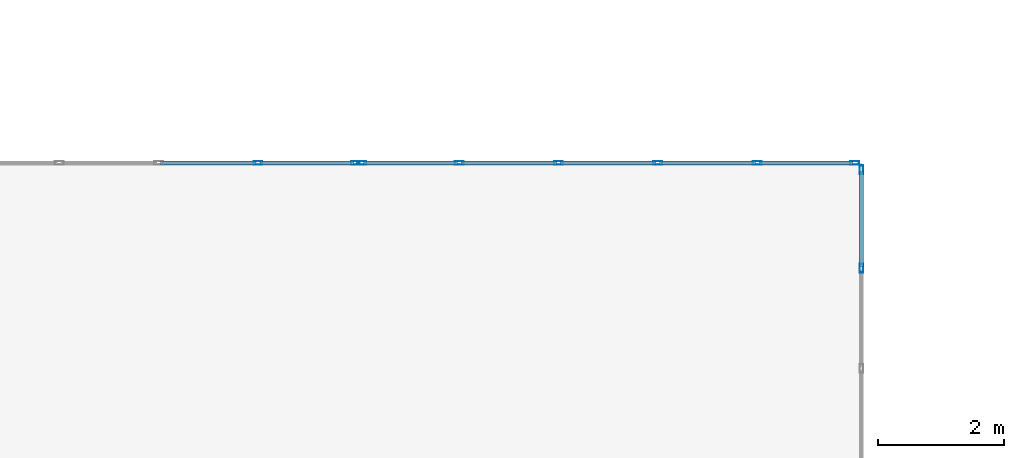
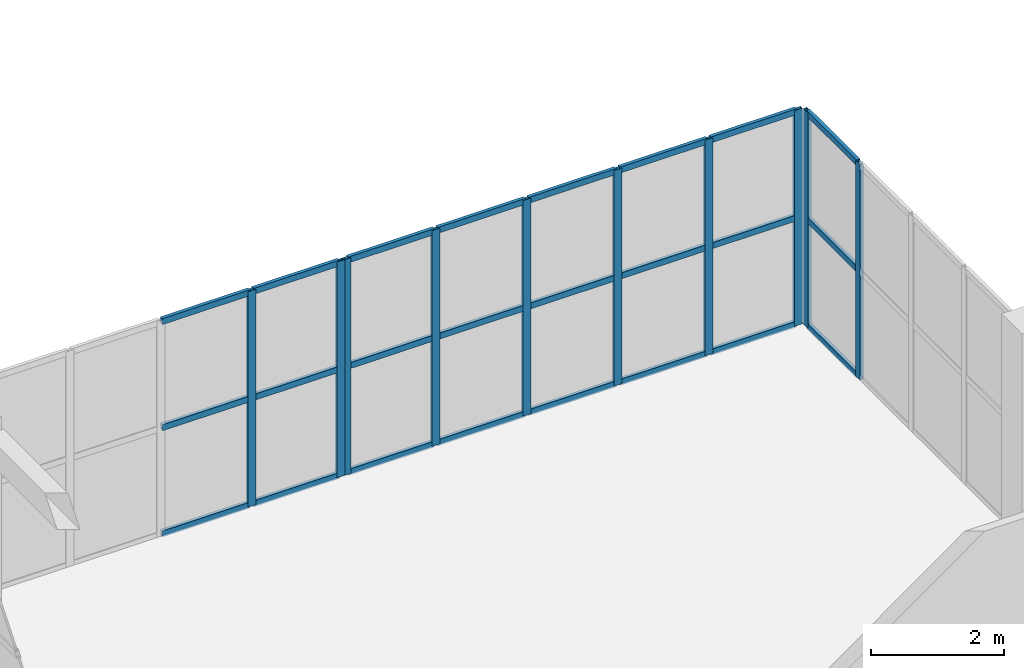
# One storey, part 38 of 81: 34 members, 3 elements without a shape of their own.
"""IFC4 building model written with IfcOpenShell, lengths in metres."""

import ifcopenshell
import ifcopenshell.guid

model = None  # the IFC model being written
_history = None  # IfcOwnerHistory: only IFC2X3 demands one
_inside = {}  # id of a spatial element -> (the spatial element, [elements in it])
_under = {}  # id of a project, library or spatial element -> (it, [spatial elements below it])
_declared = {}  # id of a project -> (the project, [libraries it declares])
_typed = {}  # id of a type object -> (the type object, [elements of that type])
_made_of = {}  # id of a material, layer set ... -> (it, [elements and type objects made of it])


def new_model(schema):
    """Start an empty IFC model of exactly this schema.

    Asked for "IFC4X3", IfcOpenShell would pick the latest addendum, in which some entities
    have other attributes; the version numbers below select the first issue.
    IFC2X3 requires an IfcOwnerHistory on every rooted entity: one is made here for all.
    """
    global model, _history
    if schema == "IFC4X3":
        model = ifcopenshell.file(schema_version=(4, 3, 0, 0))
    else:
        model = ifcopenshell.file(schema=schema)
    _inside.clear()
    _under.clear()
    _declared.clear()
    _typed.clear()
    _made_of.clear()
    _history = None
    if model.schema == "IFC2X3":
        org = make("IfcOrganization", Name="unknown")
        user = make(
            "IfcPersonAndOrganization",
            ThePerson=make("IfcPerson", FamilyName="unknown"),
            TheOrganization=org,
        )
        app = make(
            "IfcApplication",
            ApplicationDeveloper=org,
            Version="unknown",
            ApplicationFullName="unknown",
            ApplicationIdentifier="unknown",
        )
        _history = make(
            "IfcOwnerHistory",
            OwningUser=user,
            OwningApplication=app,
            ChangeAction="ADDED",
            CreationDate=0,
        )
    return model


def make(cls, **values):
    """One entity of the class cls with the attributes given. An attribute that is None is left unset."""
    return model.create_entity(
        cls, **{name: value for name, value in values.items() if value is not None}
    )


def rooted(cls, **values):
    """An entity with a GlobalId (a new one), such as an element, a storey or a relation."""
    return make(cls, GlobalId=ifcopenshell.guid.new(), OwnerHistory=_history, **values)


def si_unit(unit_type, name, prefix=None):
    """IfcSIUnit, for example si_unit("LENGTHUNIT", "METRE", prefix="MILLI")."""
    return make("IfcSIUnit", UnitType=unit_type, Prefix=prefix, Name=name)


def assignment(units):
    """IfcUnitAssignment: the units of a project."""
    return None if units is None else make("IfcUnitAssignment", Units=units)


def point(xyz):
    """IfcCartesianPoint."""
    return None if xyz is None else make("IfcCartesianPoint", Coordinates=xyz)


def direction(xyz):
    """IfcDirection."""
    return None if xyz is None else make("IfcDirection", DirectionRatios=xyz)


def frame(location, z_axis=None, x_axis=None):
    """IfcAxis2Placement3D, a coordinate frame: its origin and axes. An axis left out is left unset."""
    return make(
        "IfcAxis2Placement3D",
        Location=point(location),
        Axis=direction(z_axis),
        RefDirection=direction(x_axis),
    )


def frame_2d(location, x_axis=None):
    """IfcAxis2Placement2D, a coordinate frame in the plane: its origin and x axis."""
    return make(
        "IfcAxis2Placement2D", Location=point(location), RefDirection=direction(x_axis)
    )


def origin():
    """The frame at (0, 0, 0) with its axes left unset."""
    return frame((0.0, 0.0, 0.0))


def origin_2d():
    """The frame at (0, 0) in the plane with its x axis left unset."""
    return frame_2d((0.0, 0.0))


def place(relative_to, where):
    """IfcLocalPlacement: puts the frame where relative to a parent placement (None: the world)."""
    return make(
        "IfcLocalPlacement", PlacementRelTo=relative_to, RelativePlacement=where
    )


def context(
    kind, dimensions, precision=None, world=None, true_north=None, identifier=None
):
    """IfcGeometricRepresentationContext, for example the 3D "Model" context."""
    return make(
        "IfcGeometricRepresentationContext",
        ContextIdentifier=identifier,
        ContextType=kind,
        CoordinateSpaceDimension=dimensions,
        Precision=precision,
        WorldCoordinateSystem=world,
        TrueNorth=true_north,
    )


def subcontext(parent, identifier, kind, view, scale=None):
    """IfcGeometricRepresentationSubContext, for example "Body" below "Model"."""
    return make(
        "IfcGeometricRepresentationSubContext",
        ContextIdentifier=identifier,
        ContextType=kind,
        ParentContext=parent,
        TargetScale=scale,
        TargetView=view,
    )


def project(units=None, contexts=None):
    """IfcProject with its units and contexts."""
    return rooted(
        "IfcProject",
        Name="project",
        RepresentationContexts=contexts,
        UnitsInContext=assignment(units),
    )


def spatial(cls, under=None, at=None, **own):
    """A site, building, storey or space (cls), placed at a placement, below another one or the project."""
    s = rooted(cls, ObjectPlacement=at, **own)
    if under is not None:
        _under.setdefault(under.id(), (under, []))[1].append(s)
    return s


def profile(cls, at=None, kind="AREA", **sizes):
    """A parametric profile (cls). Its sizes go by their IFC names, for example OverallWidth=200.0."""
    return make(cls, ProfileType=kind, Position=at, **sizes)


def hollow_rectangle(**sizes):
    """IfcRectangleHollowProfileDef."""
    return profile("IfcRectangleHollowProfileDef", **sizes)


def extrude(swept, where, along, depth):
    """IfcExtrudedAreaSolid: the profile swept, set in the frame where, extruded along a direction by depth."""
    return make(
        "IfcExtrudedAreaSolid",
        SweptArea=swept,
        Position=where,
        ExtrudedDirection=direction(along),
        Depth=depth,
    )


def shape(context_of_items, identifier, shape_type, items):
    """IfcShapeRepresentation: the items that make up one representation, for example the "Body"."""
    return make(
        "IfcShapeRepresentation",
        ContextOfItems=context_of_items,
        RepresentationIdentifier=identifier,
        RepresentationType=shape_type,
        Items=items,
    )


def material(Name=None, Category=None):
    """IfcMaterial."""
    return make("IfcMaterial", Name=Name, Category=Category)


def layer(
    of_material, thickness, ventilated=None, Name=None, Category=None, Priority=None
):
    """IfcMaterialLayer: one layer of a wall or slab, of a material (None: an air gap)."""
    return make(
        "IfcMaterialLayer",
        Material=of_material,
        LayerThickness=thickness,
        IsVentilated=ventilated,
        Name=Name,
        Category=Category,
        Priority=Priority,
    )


def layer_set(layers, Name=None):
    """IfcMaterialLayerSet."""
    return make("IfcMaterialLayerSet", MaterialLayers=layers, LayerSetName=Name)


def material_profile(
    of_material, cross_section, Name=None, Category=None, Priority=None
):
    """IfcMaterialProfile: a cross section and its material."""
    return make(
        "IfcMaterialProfile",
        Name=Name,
        Material=of_material,
        Profile=cross_section,
        Priority=Priority,
        Category=Category,
    )


def profile_set(profiles, Name=None, composite=None):
    """IfcMaterialProfileSet."""
    return make(
        "IfcMaterialProfileSet",
        Name=Name,
        MaterialProfiles=profiles,
        CompositeProfile=composite,
    )


def made_of(thing, what):
    """Note that an element or type object is made of a material, layer set ...; save() writes the relation."""
    if what is not None:
        _made_of.setdefault(what.id(), (what, []))[1].append(thing)
    return thing


def type_object(cls, material=None, **own):
    """A type object (cls), such as IfcWallType, which elements share."""
    return made_of(rooted(cls, **own), material)


def element(
    cls,
    number,
    at=None,
    inside=None,
    cuts=None,
    type_object=None,
    material=None,
    context=None,
    identifier="Body",
    shape_type=None,
    held_by="IfcProductDefinitionShape",
    body=None,
    shapes=None,
    **own,
):
    """One element of the class cls, such as IfcWall. Its Tag is "e" and its number.

    at: its placement. inside: the storey or other place that contains it. cuts: it is an
    opening in that element (IfcRelVoidsElement). A single representation is given by context,
    identifier, shape_type and body (its items); several are given by shapes. held_by: the class
    of the entity that holds the representations. save() writes the other relations.
    """
    e = rooted(cls, Tag="e%d" % number, ObjectPlacement=at, **own)
    if body is not None:
        shapes = [shape(context, identifier, shape_type, body)]
    if shapes is not None:
        e.Representation = make(held_by, Representations=shapes)
    if inside is not None:
        _inside.setdefault(inside.id(), (inside, []))[1].append(e)
    if cuts is not None:
        rooted(
            "IfcRelVoidsElement", RelatingBuildingElement=cuts, RelatedOpeningElement=e
        )
    if type_object is not None:
        _typed.setdefault(type_object.id(), (type_object, []))[1].append(e)
    return made_of(e, material)


def aggregate(whole, parts):
    """IfcRelAggregates: a whole, such as a stair, and the parts it consists of."""
    return rooted("IfcRelAggregates", RelatingObject=whole, RelatedObjects=parts)


def save(model, path):
    """Write the relations noted so far, then the file.

    IfcRelAggregates (storeys below a building ...), IfcRelContainedInSpatialStructure (elements
    in a storey), IfcRelDefinesByType, IfcRelAssociatesMaterial and IfcRelDeclares: one each for
    every whole, place, type object, material and project.
    """
    for whole, parts in _under.values():
        aggregate(whole, parts)
    for where, things in _inside.values():
        rooted(
            "IfcRelContainedInSpatialStructure",
            RelatedElements=things,
            RelatingStructure=where,
        )
    for kind, things in _typed.values():
        rooted("IfcRelDefinesByType", RelatedObjects=things, RelatingType=kind)
    for what, things in _made_of.values():
        rooted("IfcRelAssociatesMaterial", RelatedObjects=things, RelatingMaterial=what)
    for by, libraries in _declared.values():
        rooted("IfcRelDeclares", RelatingContext=by, RelatedDefinitions=libraries)
    model.write(path)


model = new_model("IFC4")

# Units and contexts
model_context = context("Model", 3, precision=1e-05, world=origin(), true_north=direction((0.0, 1.0)))
body_context = subcontext(model_context, "Body", "Model", "MODEL_VIEW")
ifc_project = project(units=[si_unit("LENGTHUNIT", "METRE"), si_unit("AREAUNIT", "SQUARE_METRE"), si_unit("VOLUMEUNIT", "CUBIC_METRE"), si_unit("PLANEANGLEUNIT", "RADIAN"), si_unit("MASSUNIT", "GRAM", prefix="KILO")], contexts=[model_context])

# Site, building, storey
site_placement = place(None, origin())
site = spatial("IfcSite", under=ifc_project, at=site_placement, CompositionType="ELEMENT")
building_placement = place(site_placement, origin())
building = spatial("IfcBuilding", under=site, at=building_placement, Name="Trelvath General Hospital", CompositionType="ELEMENT")
storey_placement = place(building_placement, frame((0.0, 0.0, 24.60009765625)))
storey = spatial("IfcBuildingStorey", under=building, at=storey_placement, Name="L06", CompositionType="ELEMENT", Elevation=24.60009765625)

# Curtain wall, members
ifc_material_1 = material(Name="Anodised aluminium and low-E glass", Category="aluminium")
ifc_layer_1 = layer(ifc_material_1, 0.139892578125)
ifc_layer_set_1 = layer_set([ifc_layer_1], Name="Anodised aluminium and low-E glass")
curtain_wall_type_1 = type_object("IfcCurtainWallType", Name="CW CrystalCube 790 396 14", PredefinedType="USERDEFINED", material=ifc_layer_set_1)
curtain_wall_1_placement = place(storey_placement, origin())
curtain_wall_1 = element("IfcCurtainWall", 1, at=curtain_wall_1_placement, inside=storey, type_object=curtain_wall_type_1, Name="Crystal Cube Curtain Wall CUBE-W-T2 N1 L06", ObjectType="Unitised Glazed Curtain Wall", PredefinedType="USERDEFINED")
ifc_material_2 = material(Name="Anodised aluminium", Category="aluminium")
ifc_material_profile_1 = material_profile(ifc_material_2, hollow_rectangle(XDim=0.06005859375, YDim=0.139892578125, WallThickness=0.00390625, at=origin_2d()), Name="RHS60x140x4")
ifc_profile_set_1 = profile_set([ifc_material_profile_1], Name="Anodised aluminium")
member_type_1 = type_object("IfcMemberType", Name="CurtainMullion 60x140", PredefinedType="MULLION", material=ifc_profile_set_1)
member_1_placement = place(storey_placement, frame((66.0, 74.0, 0.0), z_axis=(0.0, 0.0, 1.0), x_axis=(0.0, 1.0, 0.0)))
member_1 = element("IfcMember", 2, at=member_1_placement, type_object=member_type_1, Name="CW-326 mullion 5", PredefinedType="MULLION", context=body_context, shape_type="SweptSolid", body=[
    extrude(hollow_rectangle(XDim=0.06005859375, YDim=0.139892578125, WallThickness=0.00390625, at=origin_2d()), origin(), (0.0, 0.0, 1.0), 3.9599609375),
])
member_2_placement = place(storey_placement, frame((67.550048828125, 74.0, 0.0), z_axis=(0.0, 0.0, 1.0), x_axis=(0.0, 1.0, 0.0)))
member_2 = element("IfcMember", 3, at=member_2_placement, type_object=member_type_1, Name="CW-326 mullion 6", PredefinedType="MULLION", context=body_context, shape_type="SweptSolid", body=[
    extrude(hollow_rectangle(XDim=0.06005859375, YDim=0.139892578125, WallThickness=0.00390625, at=origin_2d()), origin(), (0.0, 0.0, 1.0), 3.9599609375),
])

curtain_wall_2_placement = place(storey_placement, origin())
curtain_wall_2 = element("IfcCurtainWall", 4, at=curtain_wall_2_placement, inside=storey, type_object=curtain_wall_type_1, Name="Crystal Cube Curtain Wall CUBE-W-T2 N2 L06", ObjectType="Unitised Glazed Curtain Wall", PredefinedType="USERDEFINED")
member_3_placement = place(storey_placement, frame((67.64990234375, 74.0, 0.0), z_axis=(0.0, 0.0, 1.0), x_axis=(0.0, 1.0, 0.0)))
member_3 = element("IfcMember", 5, at=member_3_placement, type_object=member_type_1, Name="CW-327 mullion 1", PredefinedType="MULLION", context=body_context, shape_type="SweptSolid", body=[
    extrude(hollow_rectangle(XDim=0.06005859375, YDim=0.139892578125, WallThickness=0.00390625, at=origin_2d()), origin(), (0.0, 0.0, 1.0), 3.9599609375),
])
member_4_placement = place(storey_placement, frame((69.199951171875, 74.0, 0.0), z_axis=(0.0, 0.0, 1.0), x_axis=(0.0, 1.0, 0.0)))
member_4 = element("IfcMember", 6, at=member_4_placement, type_object=member_type_1, Name="CW-327 mullion 2", PredefinedType="MULLION", context=body_context, shape_type="SweptSolid", body=[
    extrude(hollow_rectangle(XDim=0.06005859375, YDim=0.139892578125, WallThickness=0.00390625, at=origin_2d()), origin(), (0.0, 0.0, 1.0), 3.9599609375),
])
member_5_placement = place(storey_placement, frame((70.780029296875, 74.0, 0.0), z_axis=(0.0, 0.0, 1.0), x_axis=(0.0, 1.0, 0.0)))
member_5 = element("IfcMember", 7, at=member_5_placement, type_object=member_type_1, Name="CW-327 mullion 3", PredefinedType="MULLION", context=body_context, shape_type="SweptSolid", body=[
    extrude(hollow_rectangle(XDim=0.06005859375, YDim=0.139892578125, WallThickness=0.00390625, at=origin_2d()), origin(), (0.0, 0.0, 1.0), 3.9599609375),
])
member_6_placement = place(storey_placement, frame((72.360107421875, 74.0, 0.0), z_axis=(0.0, 0.0, 1.0), x_axis=(0.0, 1.0, 0.0)))
member_6 = element("IfcMember", 8, at=member_6_placement, type_object=member_type_1, Name="CW-327 mullion 4", PredefinedType="MULLION", context=body_context, shape_type="SweptSolid", body=[
    extrude(hollow_rectangle(XDim=0.06005859375, YDim=0.139892578125, WallThickness=0.00390625, at=origin_2d()), origin(), (0.0, 0.0, 1.0), 3.9599609375),
])
member_7_placement = place(storey_placement, frame((73.93994140625, 74.0, 0.0), z_axis=(0.0, 0.0, 1.0), x_axis=(0.0, 1.0, 0.0)))
member_7 = element("IfcMember", 9, at=member_7_placement, type_object=member_type_1, Name="CW-327 mullion 5", PredefinedType="MULLION", context=body_context, shape_type="SweptSolid", body=[
    extrude(hollow_rectangle(XDim=0.06005859375, YDim=0.139892578125, WallThickness=0.00390625, at=origin_2d()), origin(), (0.0, 0.0, 1.0), 3.9599609375),
])
member_8_placement = place(storey_placement, frame((75.489990234375, 74.0, 0.0), z_axis=(0.0, 0.0, 1.0), x_axis=(0.0, 1.0, 0.0)))
member_8 = element("IfcMember", 10, at=member_8_placement, type_object=member_type_1, Name="CW-327 mullion 6", PredefinedType="MULLION", context=body_context, shape_type="SweptSolid", body=[
    extrude(hollow_rectangle(XDim=0.06005859375, YDim=0.139892578125, WallThickness=0.00390625, at=origin_2d()), origin(), (0.0, 0.0, 1.0), 3.9599609375),
])

ifc_material_3 = material(Name="Anodised aluminium and low-E glass", Category="aluminium")
ifc_layer_2 = layer(ifc_material_3, 0.139892578125)
ifc_layer_set_2 = layer_set([ifc_layer_2], Name="Anodised aluminium and low-E glass")
curtain_wall_type_2 = type_object("IfcCurtainWallType", Name="CW CrystalCube 638 396 14", PredefinedType="USERDEFINED", material=ifc_layer_set_2)
curtain_wall_3_placement = place(storey_placement, origin())
curtain_wall_3 = element("IfcCurtainWall", 11, at=curtain_wall_3_placement, inside=storey, type_object=curtain_wall_type_2, Name="Crystal Cube Curtain Wall CUBE-W-T2 E3 L06", ObjectType="Unitised Glazed Curtain Wall", PredefinedType="USERDEFINED")
member_9_placement = place(storey_placement, frame((75.60009765625, 73.889892578125, 0.0), z_axis=(0.0, 0.0, 1.0), x_axis=(1.0, 0.0, 0.0)))
member_9 = element("IfcMember", 12, at=member_9_placement, type_object=member_type_1, Name="CW-331 mullion 1", PredefinedType="MULLION", context=body_context, shape_type="SweptSolid", body=[
    extrude(hollow_rectangle(XDim=0.06005859375, YDim=0.139892578125, WallThickness=0.00390625, at=origin_2d()), origin(), (0.0, 0.0, 1.0), 3.9599609375),
])
member_10_placement = place(storey_placement, frame((75.60009765625, 72.324951171875, 0.0), z_axis=(0.0, 0.0, 1.0), x_axis=(1.0, 0.0, 0.0)))
member_10 = element("IfcMember", 13, at=member_10_placement, type_object=member_type_1, Name="CW-331 mullion 2", PredefinedType="MULLION", context=body_context, shape_type="SweptSolid", body=[
    extrude(hollow_rectangle(XDim=0.06005859375, YDim=0.139892578125, WallThickness=0.00390625, at=origin_2d()), origin(), (0.0, 0.0, 1.0), 3.9599609375),
])

# Member
ifc_material_4 = material(Name="Anodised aluminium", Category="aluminium")
ifc_material_profile_2 = material_profile(ifc_material_4, hollow_rectangle(XDim=0.06005859375, YDim=0.110107421875, WallThickness=0.00390625, at=origin_2d()), Name="RHS60x110x4")
ifc_profile_set_2 = profile_set([ifc_material_profile_2], Name="Anodised aluminium")
member_type_2 = type_object("IfcMemberType", Name="CurtainTransom 60x110", PredefinedType="USERDEFINED", material=ifc_profile_set_2)
member_11_placement = place(storey_placement, frame((64.449951171875, 74.0, 0.02978515625), z_axis=(1.0, 0.0, 0.0), x_axis=(0.0, 1.0, 0.0)))
member_11 = element("IfcMember", 14, at=member_11_placement, type_object=member_type_2, Name="CW-326 transom 4.1", ObjectType="TRANSOM", PredefinedType="USERDEFINED", context=body_context, shape_type="SweptSolid", body=[
    extrude(hollow_rectangle(XDim=0.06005859375, YDim=0.110107421875, WallThickness=0.00390625, at=origin_2d()), origin(), (0.0, 0.0, 1.0), 1.52001953125),
])

member_12_placement = place(storey_placement, frame((64.449951171875, 74.0, 1.97998046875), z_axis=(1.0, 0.0, 0.0), x_axis=(0.0, 1.0, 0.0)))
member_12 = element("IfcMember", 15, at=member_12_placement, type_object=member_type_2, Name="CW-326 transom 4.2", ObjectType="TRANSOM", PredefinedType="USERDEFINED", context=body_context, shape_type="SweptSolid", body=[
    extrude(hollow_rectangle(XDim=0.06005859375, YDim=0.110107421875, WallThickness=0.00390625, at=origin_2d()), origin(), (0.0, 0.0, 1.0), 1.52001953125),
])

member_13_placement = place(storey_placement, frame((64.449951171875, 74.0, 3.929931640625), z_axis=(1.0, 0.0, 0.0), x_axis=(0.0, 1.0, 0.0)))
member_13 = element("IfcMember", 16, at=member_13_placement, type_object=member_type_2, Name="CW-326 transom 4.3", ObjectType="TRANSOM", PredefinedType="USERDEFINED", context=body_context, shape_type="SweptSolid", body=[
    extrude(hollow_rectangle(XDim=0.06005859375, YDim=0.110107421875, WallThickness=0.00390625, at=origin_2d()), origin(), (0.0, 0.0, 1.0), 1.52001953125),
])

member_14_placement = place(storey_placement, frame((66.030029296875, 74.0, 0.02978515625), z_axis=(1.0, 0.0, 0.0), x_axis=(0.0, 1.0, 0.0)))
member_14 = element("IfcMember", 17, at=member_14_placement, type_object=member_type_2, Name="CW-326 transom 5.1", ObjectType="TRANSOM", PredefinedType="USERDEFINED", context=body_context, shape_type="SweptSolid", body=[
    extrude(hollow_rectangle(XDim=0.06005859375, YDim=0.110107421875, WallThickness=0.00390625, at=origin_2d()), origin(), (0.0, 0.0, 1.0), 1.489990234375),
])

member_15_placement = place(storey_placement, frame((66.030029296875, 74.0, 1.97998046875), z_axis=(1.0, 0.0, 0.0), x_axis=(0.0, 1.0, 0.0)))
member_15 = element("IfcMember", 18, at=member_15_placement, type_object=member_type_2, Name="CW-326 transom 5.2", ObjectType="TRANSOM", PredefinedType="USERDEFINED", context=body_context, shape_type="SweptSolid", body=[
    extrude(hollow_rectangle(XDim=0.06005859375, YDim=0.110107421875, WallThickness=0.00390625, at=origin_2d()), origin(), (0.0, 0.0, 1.0), 1.489990234375),
])

member_16_placement = place(storey_placement, frame((66.030029296875, 74.0, 3.929931640625), z_axis=(1.0, 0.0, 0.0), x_axis=(0.0, 1.0, 0.0)))
member_16 = element("IfcMember", 19, at=member_16_placement, type_object=member_type_2, Name="CW-326 transom 5.3", ObjectType="TRANSOM", PredefinedType="USERDEFINED", context=body_context, shape_type="SweptSolid", body=[
    extrude(hollow_rectangle(XDim=0.06005859375, YDim=0.110107421875, WallThickness=0.00390625, at=origin_2d()), origin(), (0.0, 0.0, 1.0), 1.489990234375),
])

aggregate(curtain_wall_1, [member_1, member_2, member_11, member_12, member_13, member_14, member_15, member_16])

member_17_placement = place(storey_placement, frame((67.679931640625, 74.0, 0.02978515625), z_axis=(1.0, 0.0, 0.0), x_axis=(0.0, 1.0, 0.0)))
member_17 = element("IfcMember", 20, at=member_17_placement, type_object=member_type_2, Name="CW-327 transom 1.1", ObjectType="TRANSOM", PredefinedType="USERDEFINED", context=body_context, shape_type="SweptSolid", body=[
    extrude(hollow_rectangle(XDim=0.06005859375, YDim=0.110107421875, WallThickness=0.00390625, at=origin_2d()), origin(), (0.0, 0.0, 1.0), 1.489990234375),
])

member_18_placement = place(storey_placement, frame((67.679931640625, 74.0, 1.97998046875), z_axis=(1.0, 0.0, 0.0), x_axis=(0.0, 1.0, 0.0)))
member_18 = element("IfcMember", 21, at=member_18_placement, type_object=member_type_2, Name="CW-327 transom 1.2", ObjectType="TRANSOM", PredefinedType="USERDEFINED", context=body_context, shape_type="SweptSolid", body=[
    extrude(hollow_rectangle(XDim=0.06005859375, YDim=0.110107421875, WallThickness=0.00390625, at=origin_2d()), origin(), (0.0, 0.0, 1.0), 1.489990234375),
])

member_19_placement = place(storey_placement, frame((67.679931640625, 74.0, 3.929931640625), z_axis=(1.0, 0.0, 0.0), x_axis=(0.0, 1.0, 0.0)))
member_19 = element("IfcMember", 22, at=member_19_placement, type_object=member_type_2, Name="CW-327 transom 1.3", ObjectType="TRANSOM", PredefinedType="USERDEFINED", context=body_context, shape_type="SweptSolid", body=[
    extrude(hollow_rectangle(XDim=0.06005859375, YDim=0.110107421875, WallThickness=0.00390625, at=origin_2d()), origin(), (0.0, 0.0, 1.0), 1.489990234375),
])

member_20_placement = place(storey_placement, frame((69.22998046875, 74.0, 0.02978515625), z_axis=(1.0, 0.0, 0.0), x_axis=(0.0, 1.0, 0.0)))
member_20 = element("IfcMember", 23, at=member_20_placement, type_object=member_type_2, Name="CW-327 transom 2.1", ObjectType="TRANSOM", PredefinedType="USERDEFINED", context=body_context, shape_type="SweptSolid", body=[
    extrude(hollow_rectangle(XDim=0.06005859375, YDim=0.110107421875, WallThickness=0.00390625, at=origin_2d()), origin(), (0.0, 0.0, 1.0), 1.52001953125),
])

member_21_placement = place(storey_placement, frame((69.22998046875, 74.0, 1.97998046875), z_axis=(1.0, 0.0, 0.0), x_axis=(0.0, 1.0, 0.0)))
member_21 = element("IfcMember", 24, at=member_21_placement, type_object=member_type_2, Name="CW-327 transom 2.2", ObjectType="TRANSOM", PredefinedType="USERDEFINED", context=body_context, shape_type="SweptSolid", body=[
    extrude(hollow_rectangle(XDim=0.06005859375, YDim=0.110107421875, WallThickness=0.00390625, at=origin_2d()), origin(), (0.0, 0.0, 1.0), 1.52001953125),
])

member_22_placement = place(storey_placement, frame((69.22998046875, 74.0, 3.929931640625), z_axis=(1.0, 0.0, 0.0), x_axis=(0.0, 1.0, 0.0)))
member_22 = element("IfcMember", 25, at=member_22_placement, type_object=member_type_2, Name="CW-327 transom 2.3", ObjectType="TRANSOM", PredefinedType="USERDEFINED", context=body_context, shape_type="SweptSolid", body=[
    extrude(hollow_rectangle(XDim=0.06005859375, YDim=0.110107421875, WallThickness=0.00390625, at=origin_2d()), origin(), (0.0, 0.0, 1.0), 1.52001953125),
])

member_23_placement = place(storey_placement, frame((70.81005859375, 74.0, 0.02978515625), z_axis=(1.0, 0.0, 0.0), x_axis=(0.0, 1.0, 0.0)))
member_23 = element("IfcMember", 26, at=member_23_placement, type_object=member_type_2, Name="CW-327 transom 3.1", ObjectType="TRANSOM", PredefinedType="USERDEFINED", context=body_context, shape_type="SweptSolid", body=[
    extrude(hollow_rectangle(XDim=0.06005859375, YDim=0.110107421875, WallThickness=0.00390625, at=origin_2d()), origin(), (0.0, 0.0, 1.0), 1.52001953125),
])

member_24_placement = place(storey_placement, frame((70.81005859375, 74.0, 1.97998046875), z_axis=(1.0, 0.0, 0.0), x_axis=(0.0, 1.0, 0.0)))
member_24 = element("IfcMember", 27, at=member_24_placement, type_object=member_type_2, Name="CW-327 transom 3.2", ObjectType="TRANSOM", PredefinedType="USERDEFINED", context=body_context, shape_type="SweptSolid", body=[
    extrude(hollow_rectangle(XDim=0.06005859375, YDim=0.110107421875, WallThickness=0.00390625, at=origin_2d()), origin(), (0.0, 0.0, 1.0), 1.52001953125),
])

member_25_placement = place(storey_placement, frame((70.81005859375, 74.0, 3.929931640625), z_axis=(1.0, 0.0, 0.0), x_axis=(0.0, 1.0, 0.0)))
member_25 = element("IfcMember", 28, at=member_25_placement, type_object=member_type_2, Name="CW-327 transom 3.3", ObjectType="TRANSOM", PredefinedType="USERDEFINED", context=body_context, shape_type="SweptSolid", body=[
    extrude(hollow_rectangle(XDim=0.06005859375, YDim=0.110107421875, WallThickness=0.00390625, at=origin_2d()), origin(), (0.0, 0.0, 1.0), 1.52001953125),
])

member_26_placement = place(storey_placement, frame((72.389892578125, 74.0, 0.02978515625), z_axis=(1.0, 0.0, 0.0), x_axis=(0.0, 1.0, 0.0)))
member_26 = element("IfcMember", 29, at=member_26_placement, type_object=member_type_2, Name="CW-327 transom 4.1", ObjectType="TRANSOM", PredefinedType="USERDEFINED", context=body_context, shape_type="SweptSolid", body=[
    extrude(hollow_rectangle(XDim=0.06005859375, YDim=0.110107421875, WallThickness=0.00390625, at=origin_2d()), origin(), (0.0, 0.0, 1.0), 1.52001953125),
])

member_27_placement = place(storey_placement, frame((72.389892578125, 74.0, 1.97998046875), z_axis=(1.0, 0.0, 0.0), x_axis=(0.0, 1.0, 0.0)))
member_27 = element("IfcMember", 30, at=member_27_placement, type_object=member_type_2, Name="CW-327 transom 4.2", ObjectType="TRANSOM", PredefinedType="USERDEFINED", context=body_context, shape_type="SweptSolid", body=[
    extrude(hollow_rectangle(XDim=0.06005859375, YDim=0.110107421875, WallThickness=0.00390625, at=origin_2d()), origin(), (0.0, 0.0, 1.0), 1.52001953125),
])

member_28_placement = place(storey_placement, frame((72.389892578125, 74.0, 3.929931640625), z_axis=(1.0, 0.0, 0.0), x_axis=(0.0, 1.0, 0.0)))
member_28 = element("IfcMember", 31, at=member_28_placement, type_object=member_type_2, Name="CW-327 transom 4.3", ObjectType="TRANSOM", PredefinedType="USERDEFINED", context=body_context, shape_type="SweptSolid", body=[
    extrude(hollow_rectangle(XDim=0.06005859375, YDim=0.110107421875, WallThickness=0.00390625, at=origin_2d()), origin(), (0.0, 0.0, 1.0), 1.52001953125),
])

member_29_placement = place(storey_placement, frame((73.969970703125, 74.0, 0.02978515625), z_axis=(1.0, 0.0, 0.0), x_axis=(0.0, 1.0, 0.0)))
member_29 = element("IfcMember", 32, at=member_29_placement, type_object=member_type_2, Name="CW-327 transom 5.1", ObjectType="TRANSOM", PredefinedType="USERDEFINED", context=body_context, shape_type="SweptSolid", body=[
    extrude(hollow_rectangle(XDim=0.06005859375, YDim=0.110107421875, WallThickness=0.00390625, at=origin_2d()), origin(), (0.0, 0.0, 1.0), 1.489990234375),
])

member_30_placement = place(storey_placement, frame((73.969970703125, 74.0, 1.97998046875), z_axis=(1.0, 0.0, 0.0), x_axis=(0.0, 1.0, 0.0)))
member_30 = element("IfcMember", 33, at=member_30_placement, type_object=member_type_2, Name="CW-327 transom 5.2", ObjectType="TRANSOM", PredefinedType="USERDEFINED", context=body_context, shape_type="SweptSolid", body=[
    extrude(hollow_rectangle(XDim=0.06005859375, YDim=0.110107421875, WallThickness=0.00390625, at=origin_2d()), origin(), (0.0, 0.0, 1.0), 1.489990234375),
])

member_31_placement = place(storey_placement, frame((73.969970703125, 74.0, 3.929931640625), z_axis=(1.0, 0.0, 0.0), x_axis=(0.0, 1.0, 0.0)))
member_31 = element("IfcMember", 34, at=member_31_placement, type_object=member_type_2, Name="CW-327 transom 5.3", ObjectType="TRANSOM", PredefinedType="USERDEFINED", context=body_context, shape_type="SweptSolid", body=[
    extrude(hollow_rectangle(XDim=0.06005859375, YDim=0.110107421875, WallThickness=0.00390625, at=origin_2d()), origin(), (0.0, 0.0, 1.0), 1.489990234375),
])

aggregate(curtain_wall_2, [member_3, member_4, member_5, member_6, member_7, member_8, member_17, member_18, member_19, member_20, member_21, member_22, member_23, member_24, member_25, member_26, member_27, member_28, member_29, member_30, member_31])

member_32_placement = place(storey_placement, frame((75.60009765625, 73.860107421875, 0.02978515625), z_axis=(0.0, -1.0, 0.0), x_axis=(1.0, 0.0, 0.0)))
member_32 = element("IfcMember", 35, at=member_32_placement, type_object=member_type_2, Name="CW-331 transom 1.1", ObjectType="TRANSOM", PredefinedType="USERDEFINED", context=body_context, shape_type="SweptSolid", body=[
    extrude(hollow_rectangle(XDim=0.06005859375, YDim=0.110107421875, WallThickness=0.00390625, at=origin_2d()), origin(), (0.0, 0.0, 1.0), 1.505126953125),
])

member_33_placement = place(storey_placement, frame((75.60009765625, 73.860107421875, 1.97998046875), z_axis=(0.0, -1.0, 0.0), x_axis=(1.0, 0.0, 0.0)))
member_33 = element("IfcMember", 36, at=member_33_placement, type_object=member_type_2, Name="CW-331 transom 1.2", ObjectType="TRANSOM", PredefinedType="USERDEFINED", context=body_context, shape_type="SweptSolid", body=[
    extrude(hollow_rectangle(XDim=0.06005859375, YDim=0.110107421875, WallThickness=0.00390625, at=origin_2d()), origin(), (0.0, 0.0, 1.0), 1.505126953125),
])

member_34_placement = place(storey_placement, frame((75.60009765625, 73.860107421875, 3.929931640625), z_axis=(0.0, -1.0, 0.0), x_axis=(1.0, 0.0, 0.0)))
member_34 = element("IfcMember", 37, at=member_34_placement, type_object=member_type_2, Name="CW-331 transom 1.3", ObjectType="TRANSOM", PredefinedType="USERDEFINED", context=body_context, shape_type="SweptSolid", body=[
    extrude(hollow_rectangle(XDim=0.06005859375, YDim=0.110107421875, WallThickness=0.00390625, at=origin_2d()), origin(), (0.0, 0.0, 1.0), 1.505126953125),
])

aggregate(curtain_wall_3, [member_9, member_10, member_32, member_33, member_34])

save(model, "model.ifc")
